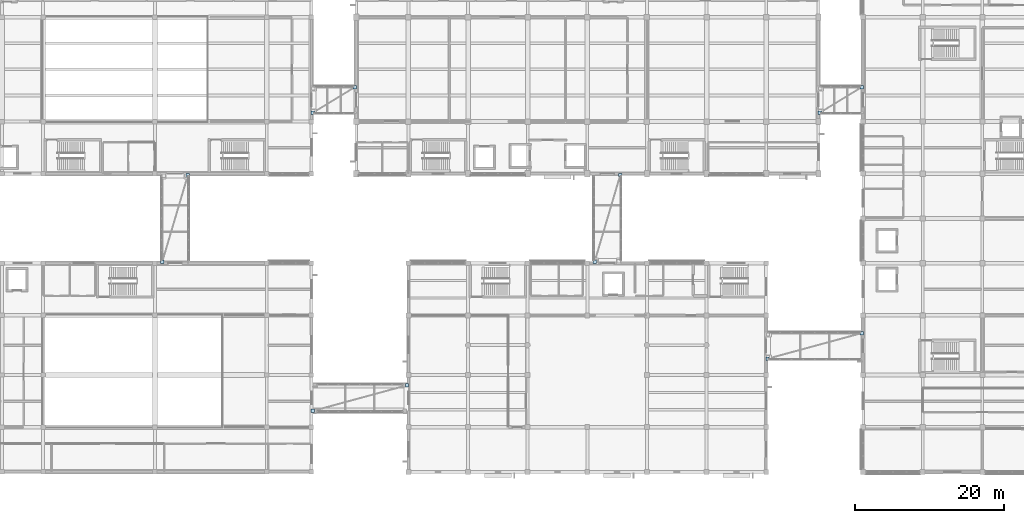
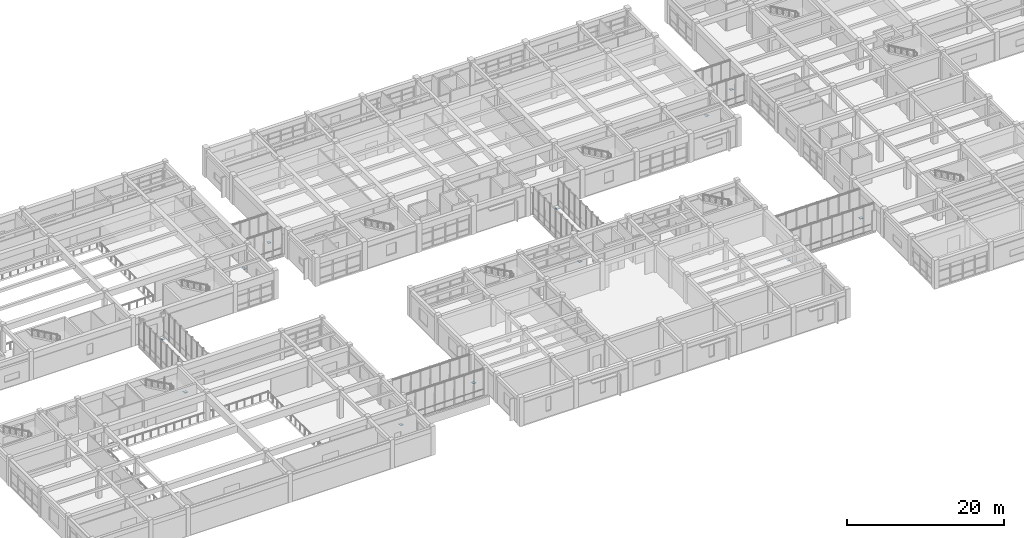
# One storey, part 45 of 72: 12 plates.
"""IFC4 building model written with IfcOpenShell, lengths in metres."""

from ifc_helpers import new_model, si_unit, direction, frame, origin, origin_2d, place, context, subcontext, project, spatial, rectangle, extrude, material, layer, layer_set, type_object, element, save


model = new_model("IFC4")

# Units and contexts
model_context = context("Model", 3, precision=1e-05, world=origin(), true_north=direction((0.0, 1.0)))
body_context = subcontext(model_context, "Body", "Model", "MODEL_VIEW")
ifc_project = project(units=[si_unit("LENGTHUNIT", "METRE"), si_unit("AREAUNIT", "SQUARE_METRE"), si_unit("VOLUMEUNIT", "CUBIC_METRE"), si_unit("PLANEANGLEUNIT", "RADIAN"), si_unit("MASSUNIT", "GRAM", prefix="KILO")], contexts=[model_context])

# Site, building, storey
site_placement = place(None, origin())
site = spatial("IfcSite", under=ifc_project, at=site_placement, CompositionType="ELEMENT")
building_placement = place(site_placement, origin())
building = spatial("IfcBuilding", under=site, at=building_placement, Name="Naurynzar Civic Courthouse", CompositionType="ELEMENT")
storey_placement = place(building_placement, frame((0.0, 0.0, 9.89990234375)))
storey = spatial("IfcBuildingStorey", under=building, at=storey_placement, Name="L03", CompositionType="ELEMENT", Elevation=9.89990234375)

# Plates
ifc_material = material(Name="Steel S355", Category="steel")
ifc_layer = layer(ifc_material, 0.02001953125)
ifc_layer_set = layer_set([ifc_layer], Name="PLT-GUSSET-450x450x20")
plate_type = type_object("IfcPlateType", Name="PLT-GUSSET-450x450x20", PredefinedType="USERDEFINED", material=ifc_layer_set)
for number, where, z_axis, x_axis, name in (
    (1, (35.97998046875, 32.179931640625, -0.414794921875), (0.0, 0.0, 1.0), (1.0, 0.0, 0.0), "BR-W1 wind brace gusset plate L03.1"),
    (2, (39.419921875, 43.820068359375, -0.414794921875), (0.0, 0.0, 1.0), (1.0, 0.0, 0.0), "BR-W1 wind brace gusset plate L03.2"),
    (3, (56.179931640625, 52.179931640625, -0.414794921875), (0.0, 0.0, 1.0), (1.0, 0.0, 0.0), "BR-N1 wind brace gusset plate L03.1"),
    (4, (61.820068359375, 55.6201171875, -0.414794921875), (0.0, 0.0, 1.0), (1.0, 0.0, 0.0), "BR-N1 wind brace gusset plate L03.2"),
    (5, (93.97998046875, 32.179931640625, -0.414794921875), (0.0, 0.0, 1.0), (1.0, 0.0, 0.0), "BR-C1 wind brace gusset plate L03.1"),
    (6, (97.419921875, 43.820068359375, -0.414794921875), (0.0, 0.0, 1.0), (1.0, 0.0, 0.0), "BR-C1 wind brace gusset plate L03.2"),
    (7, (56.179931640625, 12.179931640625, -0.414794921875), (0.0, 0.0, 1.0), (1.0, 0.0, 0.0), "BR-S1 wind brace gusset plate L03.1"),
    (8, (68.820068359375, 15.6201171875, -0.414794921875), (0.0, 0.0, 1.0), (1.0, 0.0, 0.0), "BR-S1 wind brace gusset plate L03.2"),
    (9, (124.179931640625, 52.179931640625, -0.414794921875), (0.0, 0.0, 1.0), (1.0, 0.0, 0.0), "BR-E1 wind brace gusset plate L03.1"),
    (10, (129.820068359375, 55.6201171875, -0.414794921875), (0.0, 0.0, 1.0), (1.0, 0.0, 0.0), "BR-E1 wind brace gusset plate L03.2"),
    (11, (117.179931640625, 19.179931640625, -0.414794921875), (0.0, 0.0, 1.0), (1.0, 0.0, 0.0), "BR-E2 wind brace gusset plate L03.1"),
    (12, (129.820068359375, 22.6201171875, -0.414794921875), (0.0, 0.0, 1.0), (1.0, 0.0, 0.0), "BR-E2 wind brace gusset plate L03.2"),
):
    element("IfcPlate", number, at=place(storey_placement, frame(where, z_axis=z_axis, x_axis=x_axis)), inside=storey, type_object=plate_type, Name=name, ObjectType="GUSSET PLATE", PredefinedType="USERDEFINED", context=body_context, shape_type="SweptSolid", body=[
        extrude(rectangle(XDim=0.449951171875, YDim=0.449951171875, at=origin_2d()), origin(), (0.0, 0.0, 1.0), 0.02001953125),
    ])

save(model, "model.ifc")
